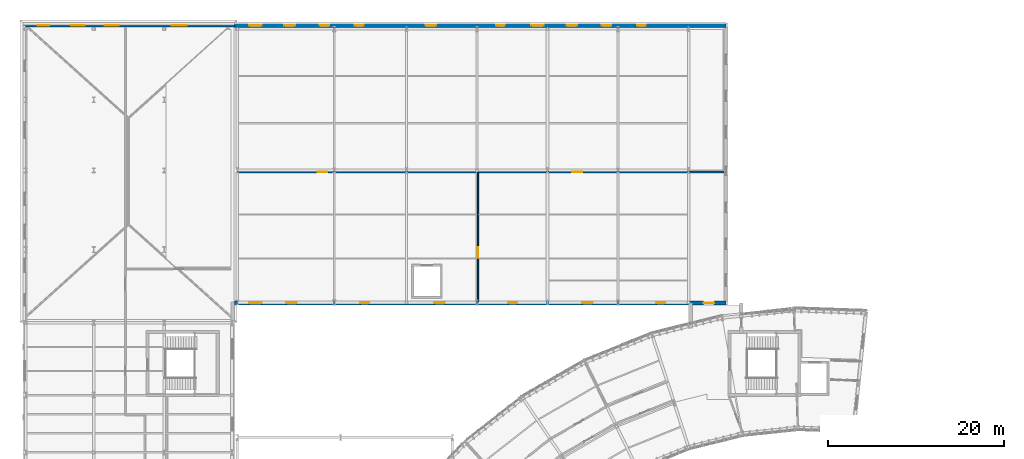
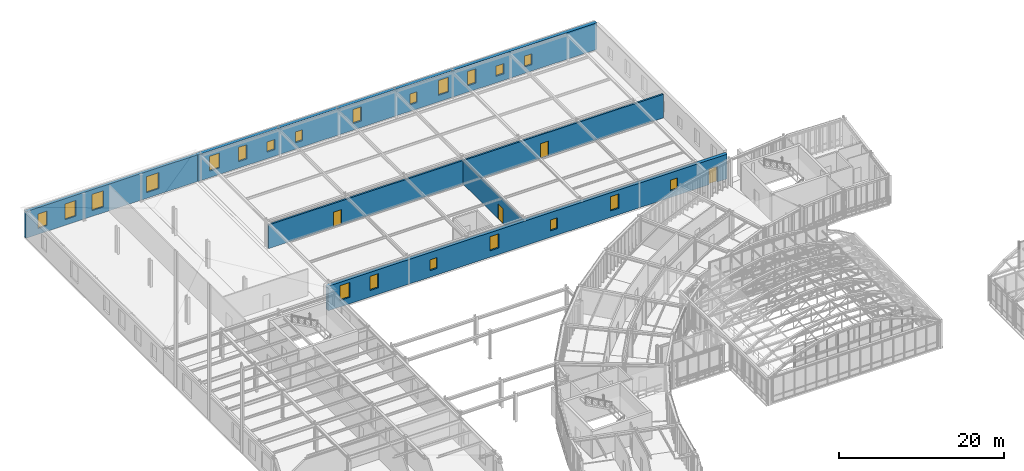
# One storey, part 130 of 148: 21 windows, 5 walls, 4 doors, 25 openings.
"""IFC4 building model written with IfcOpenShell, lengths in metres."""

from ifc_helpers import new_model, si_unit, direction, frame, frame_2d, origin, place, context, subcontext, project, spatial, rectangle, extrude, material, layer, layer_set, type_object, element, fill, save


model = new_model("IFC4")

# Units and contexts
model_context = context("Model", 3, precision=1e-05, world=origin(), true_north=direction((0.0, 1.0)))
body_context = subcontext(model_context, "Body", "Model", "MODEL_VIEW")
ifc_project = project(units=[si_unit("LENGTHUNIT", "METRE"), si_unit("AREAUNIT", "SQUARE_METRE"), si_unit("VOLUMEUNIT", "CUBIC_METRE"), si_unit("PLANEANGLEUNIT", "RADIAN"), si_unit("MASSUNIT", "GRAM", prefix="KILO"), si_unit("THERMODYNAMICTEMPERATUREUNIT", "KELVIN"), si_unit("POWERUNIT", "WATT")], contexts=[model_context])

# Site, building, storey
site_placement = place(None, origin())
site = spatial("IfcSite", under=ifc_project, at=site_placement, CompositionType="ELEMENT")
building_placement = place(site_placement, origin())
building = spatial("IfcBuilding", under=site, at=building_placement, Name="Solvatero Civic Police Headquarters", CompositionType="ELEMENT")
storey_placement = place(building_placement, frame((0.0, 0.0, 5.10009765625)))
storey = spatial("IfcBuildingStorey", under=building, at=storey_placement, Name="L01", CompositionType="ELEMENT", Elevation=5.10009765625)

# Wall, openings, doors
ifc_material_1 = material(Name="Reinforced Masonry", Category="masonry")
ifc_layer_1 = layer(ifc_material_1, 0.239990234375)
ifc_layer_set_1 = layer_set([ifc_layer_1], Name="Reinforced Masonry")
wall_type_1 = type_object("IfcWallType", Name="WL-CELL-240", PredefinedType="PARTITIONING", material=ifc_layer_set_1)
wall_1_placement = place(storey_placement, frame((28.800048828125, 100.300048828125, 0.0), z_axis=(0.0, 0.0, 1.0), x_axis=(1.0, 0.0, 0.0)))
wall_1 = element("IfcWall", 1, at=wall_1_placement, inside=storey, type_object=wall_type_1, Name="Interior Partition WLP-L01-V7-COR", PredefinedType="PARTITIONING", context=body_context, shape_type="SweptSolid", body=[
    extrude(rectangle(XDim=55.199951171875, YDim=0.239990234375, at=frame_2d((27.60009765625, 0.0))), origin(), (0.0, 0.0, 1.0), 3.489990234375),
])
opening_1_placement = place(wall_1_placement, frame((9.10009765625, 0.0, 0.0)))
opening_1 = element("IfcOpeningElement", 2, at=opening_1_placement, cuts=wall_1, Name="Opening ID-09", PredefinedType="OPENING", context=body_context, shape_type="SweptSolid", body=[
    extrude(rectangle(XDim=1.1201171875, YDim=2.199951171875, at=frame_2d((0.56005859375, 1.10009765625))), frame((0.0, 0.1298828125, 0.0), z_axis=(0.0, -1.0, 0.0), x_axis=(1.0, 0.0, 0.0)), (0.0, 0.0, 1.0), 0.260009765625),
])
opening_2_placement = place(wall_1_placement, frame((38.0, 0.0, 0.0)))
opening_2 = element("IfcOpeningElement", 3, at=opening_2_placement, cuts=wall_1, Name="Opening ID-09", PredefinedType="OPENING", context=body_context, shape_type="SweptSolid", body=[
    extrude(rectangle(XDim=1.1201171875, YDim=2.199951171875, at=frame_2d((0.56005859375, 1.10009765625))), frame((0.0, 0.1298828125, 0.0), z_axis=(0.0, -1.0, 0.0), x_axis=(1.0, 0.0, 0.0)), (0.0, 0.0, 1.0), 0.260009765625),
])
ifc_material_2 = material(Name="Powder-Coated Steel", Category="steel")
door_type_1 = type_object("IfcDoorType", Name="DR-PLT-112x220", OperationType="NOTDEFINED", PredefinedType="DOOR", material=ifc_material_2)
door_1_placement = place(opening_1_placement, origin())
door_1 = element("IfcDoor", 4, at=door_1_placement, inside=storey, type_object=door_type_1, Name="Interior Door DR-L01-V7-1", OperationType="SINGLE_SWING_RIGHT", OverallHeight=2.199951171875, OverallWidth=1.1201171875, PredefinedType="DOOR", context=body_context, shape_type="SweptSolid", body=[
    extrude(rectangle(XDim=1.1201171875, YDim=2.199951171875, at=frame_2d((0.56005859375, 1.10009765625))), frame((0.0, 0.02490234375, 0.0), z_axis=(0.0, -1.0, 0.0), x_axis=(1.0, 0.0, 0.0)), (0.0, 0.0, 1.0), 0.050048828125),
])
fill(opening_1, door_1)
door_2_placement = place(opening_2_placement, origin())
door_2 = element("IfcDoor", 5, at=door_2_placement, inside=storey, type_object=door_type_1, Name="Interior Door DR-L01-V7-2", OperationType="SINGLE_SWING_LEFT", OverallHeight=2.199951171875, OverallWidth=1.1201171875, PredefinedType="DOOR", context=body_context, shape_type="SweptSolid", body=[
    extrude(rectangle(XDim=1.1201171875, YDim=2.199951171875, at=frame_2d((0.56005859375, 1.10009765625))), frame((0.0, 0.02490234375, 0.0), z_axis=(0.0, -1.0, 0.0), x_axis=(1.0, 0.0, 0.0)), (0.0, 0.0, 1.0), 0.050048828125),
])
fill(opening_2, door_2)

# Wall, openings, windows
ifc_layer_2 = layer(ifc_material_1, 0.47998046875)
ifc_layer_set_2 = layer_set([ifc_layer_2], Name="Reinforced Masonry")
wall_type_2 = type_object("IfcWallType", Name="WL-EXT-CUST-480", PredefinedType="SOLIDWALL", material=ifc_layer_set_2)
wall_2_placement = place(storey_placement, frame((28.5, 116.949951171875, 0.0), z_axis=(0.0, 0.0, 1.0), x_axis=(1.0, 0.0, 0.0)))
wall_2 = element("IfcWall", 6, at=wall_2_placement, inside=storey, type_object=wall_type_2, Name="Exterior Wall WLE-L01-V7-N", PredefinedType="SOLIDWALL", context=body_context, shape_type="SweptSolid", body=[
    extrude(rectangle(XDim=55.760009765625, YDim=0.47998046875, at=frame_2d((27.8798828125, 0.0))), origin(), (0.0, 0.0, 1.0), 3.93994140625),
])
opening_3_placement = place(wall_2_placement, frame((1.64990234375, 0.0, 0.949951171875)))
opening_3 = element("IfcOpeningElement", 7, at=opening_3_placement, cuts=wall_2, Name="Opening W-02", PredefinedType="OPENING", context=body_context, shape_type="SweptSolid", body=[
    extrude(rectangle(XDim=1.39990234375, YDim=2.199951171875, at=frame_2d((0.699951171875, 1.10009765625))), frame((0.0, 0.25, 0.0), z_axis=(0.0, -1.0, 0.0), x_axis=(1.0, 0.0, 0.0)), (0.0, 0.0, 1.0), 0.5),
])
opening_4_placement = place(wall_2_placement, frame((5.64990234375, 0.0, 0.949951171875)))
opening_4 = element("IfcOpeningElement", 8, at=opening_4_placement, cuts=wall_2, Name="Opening W-01", PredefinedType="OPENING", context=body_context, shape_type="SweptSolid", body=[
    extrude(rectangle(XDim=1.199951171875, YDim=2.10009765625, at=frame_2d((0.60009765625, 1.050048828125))), frame((0.0, 0.25, 0.0), z_axis=(0.0, -1.0, 0.0), x_axis=(1.0, 0.0, 0.0)), (0.0, 0.0, 1.0), 0.5),
])
opening_5_placement = place(wall_2_placement, frame((9.64990234375, 0.0, 0.949951171875)))
opening_5 = element("IfcOpeningElement", 9, at=opening_5_placement, cuts=wall_2, Name="Opening W-11", PredefinedType="OPENING", context=body_context, shape_type="SweptSolid", body=[
    extrude(rectangle(XDim=1.10009765625, YDim=1.5, at=frame_2d((0.550048828125, 0.75))), frame((0.0, 0.25, 0.0), z_axis=(0.0, -1.0, 0.0), x_axis=(1.0, 0.0, 0.0)), (0.0, 0.0, 1.0), 0.5),
])
opening_6_placement = place(wall_2_placement, frame((13.64990234375, 0.0, 0.949951171875)))
opening_6 = element("IfcOpeningElement", 10, at=opening_6_placement, cuts=wall_2, Name="Opening W-09", PredefinedType="OPENING", context=body_context, shape_type="SweptSolid", body=[
    extrude(rectangle(XDim=1.0, YDim=1.60009765625, at=frame_2d((0.5, 0.800048828125))), frame((0.0, 0.25, 0.0), z_axis=(0.0, -1.0, 0.0), x_axis=(1.0, 0.0, 0.0)), (0.0, 0.0, 1.0), 0.5),
])
opening_7_placement = place(wall_2_placement, frame((21.64990234375, 0.0, 0.949951171875)))
opening_7 = element("IfcOpeningElement", 11, at=opening_7_placement, cuts=wall_2, Name="Opening W-01", PredefinedType="OPENING", context=body_context, shape_type="SweptSolid", body=[
    extrude(rectangle(XDim=1.199951171875, YDim=2.10009765625, at=frame_2d((0.60009765625, 1.050048828125))), frame((0.0, 0.25, 0.0), z_axis=(0.0, -1.0, 0.0), x_axis=(1.0, 0.0, 0.0)), (0.0, 0.0, 1.0), 0.5),
])
opening_8_placement = place(wall_2_placement, frame((29.64990234375, 0.0, 0.949951171875)))
opening_8 = element("IfcOpeningElement", 12, at=opening_8_placement, cuts=wall_2, Name="Opening W-09", PredefinedType="OPENING", context=body_context, shape_type="SweptSolid", body=[
    extrude(rectangle(XDim=1.0, YDim=1.60009765625, at=frame_2d((0.5, 0.800048828125))), frame((0.0, 0.25, 0.0), z_axis=(0.0, -1.0, 0.0), x_axis=(1.0, 0.0, 0.0)), (0.0, 0.0, 1.0), 0.5),
])
opening_9_placement = place(wall_2_placement, frame((33.64990234375, 0.0, 0.949951171875)))
opening_9 = element("IfcOpeningElement", 13, at=opening_9_placement, cuts=wall_2, Name="Opening W-02", PredefinedType="OPENING", context=body_context, shape_type="SweptSolid", body=[
    extrude(rectangle(XDim=1.39990234375, YDim=2.199951171875, at=frame_2d((0.699951171875, 1.10009765625))), frame((0.0, 0.25, 0.0), z_axis=(0.0, -1.0, 0.0), x_axis=(1.0, 0.0, 0.0)), (0.0, 0.0, 1.0), 0.5),
])
opening_10_placement = place(wall_2_placement, frame((37.64990234375, 0.0, 0.949951171875)))
opening_10 = element("IfcOpeningElement", 14, at=opening_10_placement, cuts=wall_2, Name="Opening W-01", PredefinedType="OPENING", context=body_context, shape_type="SweptSolid", body=[
    extrude(rectangle(XDim=1.199951171875, YDim=2.10009765625, at=frame_2d((0.60009765625, 1.050048828125))), frame((0.0, 0.25, 0.0), z_axis=(0.0, -1.0, 0.0), x_axis=(1.0, 0.0, 0.0)), (0.0, 0.0, 1.0), 0.5),
])
opening_11_placement = place(wall_2_placement, frame((41.64990234375, 0.0, 0.949951171875)))
opening_11 = element("IfcOpeningElement", 15, at=opening_11_placement, cuts=wall_2, Name="Opening W-11", PredefinedType="OPENING", context=body_context, shape_type="SweptSolid", body=[
    extrude(rectangle(XDim=1.10009765625, YDim=1.5, at=frame_2d((0.550048828125, 0.75))), frame((0.0, 0.25, 0.0), z_axis=(0.0, -1.0, 0.0), x_axis=(1.0, 0.0, 0.0)), (0.0, 0.0, 1.0), 0.5),
])
opening_12_placement = place(wall_2_placement, frame((45.64990234375, 0.0, 0.949951171875)))
opening_12 = element("IfcOpeningElement", 16, at=opening_12_placement, cuts=wall_2, Name="Opening W-09", PredefinedType="OPENING", context=body_context, shape_type="SweptSolid", body=[
    extrude(rectangle(XDim=1.0, YDim=1.60009765625, at=frame_2d((0.5, 0.800048828125))), frame((0.0, 0.25, 0.0), z_axis=(0.0, -1.0, 0.0), x_axis=(1.0, 0.0, 0.0)), (0.0, 0.0, 1.0), 0.5),
])
ifc_material_3 = material(Name="Anodized Bronze Aluminium", Category="aluminium")
window_type_1 = type_object("IfcWindowType", Name="WN-CL-100x160", PartitioningType="SINGLE_PANEL", PredefinedType="WINDOW", material=ifc_material_3)
window_1_placement = place(opening_6_placement, origin())
window_1 = element("IfcWindow", 17, at=window_1_placement, inside=storey, type_object=window_type_1, Name="Exterior Window 0184", OverallHeight=1.60009765625, OverallWidth=1.0, PartitioningType="SINGLE_PANEL", PredefinedType="WINDOW", context=body_context, shape_type="SweptSolid", body=[
    extrude(rectangle(XDim=1.0, YDim=1.60009765625, at=frame_2d((0.5, 0.800048828125))), frame((0.0, 0.030029296875, 0.0), z_axis=(0.0, -1.0, 0.0), x_axis=(1.0, 0.0, 0.0)), (0.0, 0.0, 1.0), 0.06005859375),
])
fill(opening_6, window_1)
window_2_placement = place(opening_8_placement, origin())
window_2 = element("IfcWindow", 18, at=window_2_placement, inside=storey, type_object=window_type_1, Name="Exterior Window 0186", OverallHeight=1.60009765625, OverallWidth=1.0, PartitioningType="SINGLE_PANEL", PredefinedType="WINDOW", context=body_context, shape_type="SweptSolid", body=[
    extrude(rectangle(XDim=1.0, YDim=1.60009765625, at=frame_2d((0.5, 0.800048828125))), frame((0.0, 0.030029296875, 0.0), z_axis=(0.0, -1.0, 0.0), x_axis=(1.0, 0.0, 0.0)), (0.0, 0.0, 1.0), 0.06005859375),
])
fill(opening_8, window_2)
window_3_placement = place(opening_12_placement, origin())
window_3 = element("IfcWindow", 19, at=window_3_placement, inside=storey, type_object=window_type_1, Name="Exterior Window 0190", OverallHeight=1.60009765625, OverallWidth=1.0, PartitioningType="SINGLE_PANEL", PredefinedType="WINDOW", context=body_context, shape_type="SweptSolid", body=[
    extrude(rectangle(XDim=1.0, YDim=1.60009765625, at=frame_2d((0.5, 0.800048828125))), frame((0.0, 0.030029296875, 0.0), z_axis=(0.0, -1.0, 0.0), x_axis=(1.0, 0.0, 0.0)), (0.0, 0.0, 1.0), 0.06005859375),
])
fill(opening_12, window_3)
ifc_material_4 = material(Name="Ballistic Steel Frame Glass", Category="steel")
window_type_2 = type_object("IfcWindowType", Name="WN-CL-110x150", PartitioningType="SINGLE_PANEL", PredefinedType="WINDOW", material=ifc_material_4)
window_4_placement = place(opening_5_placement, origin())
window_4 = element("IfcWindow", 20, at=window_4_placement, inside=storey, type_object=window_type_2, Name="Exterior Window 0183", OverallHeight=1.5, OverallWidth=1.10009765625, PartitioningType="SINGLE_PANEL", PredefinedType="WINDOW", context=body_context, shape_type="SweptSolid", body=[
    extrude(rectangle(XDim=1.10009765625, YDim=1.5, at=frame_2d((0.550048828125, 0.75))), frame((0.0, 0.030029296875, 0.0), z_axis=(0.0, -1.0, 0.0), x_axis=(1.0, 0.0, 0.0)), (0.0, 0.0, 1.0), 0.06005859375),
])
fill(opening_5, window_4)
window_5_placement = place(opening_11_placement, origin())
window_5 = element("IfcWindow", 21, at=window_5_placement, inside=storey, type_object=window_type_2, Name="Exterior Window 0189", OverallHeight=1.5, OverallWidth=1.10009765625, PartitioningType="SINGLE_PANEL", PredefinedType="WINDOW", context=body_context, shape_type="SweptSolid", body=[
    extrude(rectangle(XDim=1.10009765625, YDim=1.5, at=frame_2d((0.550048828125, 0.75))), frame((0.0, 0.030029296875, 0.0), z_axis=(0.0, -1.0, 0.0), x_axis=(1.0, 0.0, 0.0)), (0.0, 0.0, 1.0), 0.06005859375),
])
fill(opening_11, window_5)
window_type_3 = type_object("IfcWindowType", Name="WN-CL-120x210", PartitioningType="SINGLE_PANEL", PredefinedType="WINDOW", material=ifc_material_3)
window_6_placement = place(opening_4_placement, origin())
window_6 = element("IfcWindow", 22, at=window_6_placement, inside=storey, type_object=window_type_3, Name="Exterior Window 0182", OverallHeight=2.10009765625, OverallWidth=1.199951171875, PartitioningType="SINGLE_PANEL", PredefinedType="WINDOW", context=body_context, shape_type="SweptSolid", body=[
    extrude(rectangle(XDim=1.199951171875, YDim=2.10009765625, at=frame_2d((0.60009765625, 1.050048828125))), frame((0.0, 0.030029296875, 0.0), z_axis=(0.0, -1.0, 0.0), x_axis=(1.0, 0.0, 0.0)), (0.0, 0.0, 1.0), 0.06005859375),
])
fill(opening_4, window_6)
window_7_placement = place(opening_7_placement, origin())
window_7 = element("IfcWindow", 23, at=window_7_placement, inside=storey, type_object=window_type_3, Name="Exterior Window 0185", OverallHeight=2.10009765625, OverallWidth=1.199951171875, PartitioningType="SINGLE_PANEL", PredefinedType="WINDOW", context=body_context, shape_type="SweptSolid", body=[
    extrude(rectangle(XDim=1.199951171875, YDim=2.10009765625, at=frame_2d((0.60009765625, 1.050048828125))), frame((0.0, 0.030029296875, 0.0), z_axis=(0.0, -1.0, 0.0), x_axis=(1.0, 0.0, 0.0)), (0.0, 0.0, 1.0), 0.06005859375),
])
fill(opening_7, window_7)
window_8_placement = place(opening_10_placement, origin())
window_8 = element("IfcWindow", 24, at=window_8_placement, inside=storey, type_object=window_type_3, Name="Exterior Window 0188", OverallHeight=2.10009765625, OverallWidth=1.199951171875, PartitioningType="SINGLE_PANEL", PredefinedType="WINDOW", context=body_context, shape_type="SweptSolid", body=[
    extrude(rectangle(XDim=1.199951171875, YDim=2.10009765625, at=frame_2d((0.60009765625, 1.050048828125))), frame((0.0, 0.030029296875, 0.0), z_axis=(0.0, -1.0, 0.0), x_axis=(1.0, 0.0, 0.0)), (0.0, 0.0, 1.0), 0.06005859375),
])
fill(opening_10, window_8)
window_type_4 = type_object("IfcWindowType", Name="WN-CL-140x220", PartitioningType="SINGLE_PANEL", PredefinedType="WINDOW", material=ifc_material_3)
window_9_placement = place(opening_3_placement, origin())
window_9 = element("IfcWindow", 25, at=window_9_placement, inside=storey, type_object=window_type_4, Name="Exterior Window 0181", OverallHeight=2.199951171875, OverallWidth=1.39990234375, PartitioningType="SINGLE_PANEL", PredefinedType="WINDOW", context=body_context, shape_type="SweptSolid", body=[
    extrude(rectangle(XDim=1.39990234375, YDim=2.199951171875, at=frame_2d((0.699951171875, 1.10009765625))), frame((0.0, 0.030029296875, 0.0), z_axis=(0.0, -1.0, 0.0), x_axis=(1.0, 0.0, 0.0)), (0.0, 0.0, 1.0), 0.06005859375),
])
fill(opening_3, window_9)
window_10_placement = place(opening_9_placement, origin())
window_10 = element("IfcWindow", 26, at=window_10_placement, inside=storey, type_object=window_type_4, Name="Exterior Window 0187", OverallHeight=2.199951171875, OverallWidth=1.39990234375, PartitioningType="SINGLE_PANEL", PredefinedType="WINDOW", context=body_context, shape_type="SweptSolid", body=[
    extrude(rectangle(XDim=1.39990234375, YDim=2.199951171875, at=frame_2d((0.699951171875, 1.10009765625))), frame((0.0, 0.030029296875, 0.0), z_axis=(0.0, -1.0, 0.0), x_axis=(1.0, 0.0, 0.0)), (0.0, 0.0, 1.0), 0.06005859375),
])
fill(opening_9, window_10)

# Wall, openings, door, windows
wall_3_placement = place(storey_placement, frame((28.5, 85.43994140625, 0.0), z_axis=(0.0, 0.0, 1.0), x_axis=(1.0, 0.0, 0.0)))
wall_3 = element("IfcWall", 27, at=wall_3_placement, inside=storey, type_object=wall_type_2, Name="Exterior Wall WLE-L01-V7-S", PredefinedType="SOLIDWALL", context=body_context, shape_type="SweptSolid", body=[
    extrude(rectangle(XDim=55.760009765625, YDim=0.47998046875, at=frame_2d((27.8798828125, 0.0))), origin(), (0.0, 0.0, 1.0), 3.639892578125),
])
opening_13_placement = place(wall_3_placement, frame((54.39990234375, 0.0, 0.0), z_axis=(0.0, 0.0, 1.0), x_axis=(-1.0, 0.0, 0.0)))
opening_13 = element("IfcOpeningElement", 28, at=opening_13_placement, cuts=wall_3, Name="Opening ED-03", PredefinedType="OPENING", context=body_context, shape_type="SweptSolid", body=[
    extrude(rectangle(XDim=1.199951171875, YDim=2.300048828125, at=frame_2d((0.60009765625, 1.14990234375))), frame((0.0, 0.25, 0.0), z_axis=(0.0, -1.0, 0.0), x_axis=(1.0, 0.0, 0.0)), (0.0, 0.0, 1.0), 0.5),
])
opening_14_placement = place(wall_3_placement, frame((1.64990234375, 0.0, 0.93994140625)))
opening_14 = element("IfcOpeningElement", 29, at=opening_14_placement, cuts=wall_3, Name="Opening W-02", PredefinedType="OPENING", context=body_context, shape_type="SweptSolid", body=[
    extrude(rectangle(XDim=1.39990234375, YDim=2.199951171875, at=frame_2d((0.699951171875, 1.10009765625))), frame((0.0, 0.25, 0.0), z_axis=(0.0, -1.0, 0.0), x_axis=(1.0, 0.0, 0.0)), (0.0, 0.0, 1.0), 0.5),
])
opening_15_placement = place(wall_3_placement, frame((5.85009765625, 0.0, 0.949951171875)))
opening_15 = element("IfcOpeningElement", 30, at=opening_15_placement, cuts=wall_3, Name="Opening W-01", PredefinedType="OPENING", context=body_context, shape_type="SweptSolid", body=[
    extrude(rectangle(XDim=1.199951171875, YDim=2.10009765625, at=frame_2d((0.60009765625, 1.050048828125))), frame((0.0, 0.25, 0.0), z_axis=(0.0, -1.0, 0.0), x_axis=(1.0, 0.0, 0.0)), (0.0, 0.0, 1.0), 0.5),
])
opening_16_placement = place(wall_3_placement, frame((14.25, 0.0, 0.949951171875)))
opening_16 = element("IfcOpeningElement", 31, at=opening_16_placement, cuts=wall_3, Name="Opening W-09", PredefinedType="OPENING", context=body_context, shape_type="SweptSolid", body=[
    extrude(rectangle(XDim=1.0, YDim=1.60009765625, at=frame_2d((0.5, 0.800048828125))), frame((0.0, 0.25, 0.0), z_axis=(0.0, -1.0, 0.0), x_axis=(1.0, 0.0, 0.0)), (0.0, 0.0, 1.0), 0.5),
])
opening_17_placement = place(wall_3_placement, frame((22.64990234375, 0.0, 0.949951171875)))
opening_17 = element("IfcOpeningElement", 32, at=opening_17_placement, cuts=wall_3, Name="Opening W-01", PredefinedType="OPENING", context=body_context, shape_type="SweptSolid", body=[
    extrude(rectangle(XDim=1.199951171875, YDim=2.10009765625, at=frame_2d((0.60009765625, 1.050048828125))), frame((0.0, 0.25, 0.0), z_axis=(0.0, -1.0, 0.0), x_axis=(1.0, 0.0, 0.0)), (0.0, 0.0, 1.0), 0.5),
])
opening_18_placement = place(wall_3_placement, frame((31.050048828125, 0.0, 0.949951171875)))
opening_18 = element("IfcOpeningElement", 33, at=opening_18_placement, cuts=wall_3, Name="Opening W-09", PredefinedType="OPENING", context=body_context, shape_type="SweptSolid", body=[
    extrude(rectangle(XDim=1.0, YDim=1.60009765625, at=frame_2d((0.5, 0.800048828125))), frame((0.0, 0.25, 0.0), z_axis=(0.0, -1.0, 0.0), x_axis=(1.0, 0.0, 0.0)), (0.0, 0.0, 1.0), 0.5),
])
opening_19_placement = place(wall_3_placement, frame((39.449951171875, 0.0, 0.949951171875)))
opening_19 = element("IfcOpeningElement", 34, at=opening_19_placement, cuts=wall_3, Name="Opening W-01", PredefinedType="OPENING", context=body_context, shape_type="SweptSolid", body=[
    extrude(rectangle(XDim=1.199951171875, YDim=2.10009765625, at=frame_2d((0.60009765625, 1.050048828125))), frame((0.0, 0.25, 0.0), z_axis=(0.0, -1.0, 0.0), x_axis=(1.0, 0.0, 0.0)), (0.0, 0.0, 1.0), 0.5),
])
opening_20_placement = place(wall_3_placement, frame((47.85009765625, 0.0, 0.949951171875)))
opening_20 = element("IfcOpeningElement", 35, at=opening_20_placement, cuts=wall_3, Name="Opening W-09", PredefinedType="OPENING", context=body_context, shape_type="SweptSolid", body=[
    extrude(rectangle(XDim=1.0, YDim=1.60009765625, at=frame_2d((0.5, 0.800048828125))), frame((0.0, 0.25, 0.0), z_axis=(0.0, -1.0, 0.0), x_axis=(1.0, 0.0, 0.0)), (0.0, 0.0, 1.0), 0.5),
])
ifc_material_5 = material(Name="Anodized Bronze Aluminium and Laminated Glass", Category="aluminium")
door_type_2 = type_object("IfcDoorType", Name="DR-EXT-120x230", OperationType="NOTDEFINED", PredefinedType="DOOR", material=ifc_material_5)
door_3_placement = place(opening_13_placement, origin())
door_3 = element("IfcDoor", 36, at=door_3_placement, inside=storey, type_object=door_type_2, Name="Exterior Door DR-L01-CUST-C3", OperationType="SINGLE_SWING_LEFT", OverallHeight=2.300048828125, OverallWidth=1.199951171875, PredefinedType="DOOR", context=body_context, shape_type="SweptSolid", body=[
    extrude(rectangle(XDim=1.199951171875, YDim=2.300048828125, at=frame_2d((0.60009765625, 1.14990234375))), frame((0.0, 0.02490234375, 0.0), z_axis=(0.0, -1.0, 0.0), x_axis=(1.0, 0.0, 0.0)), (0.0, 0.0, 1.0), 0.050048828125),
])
fill(opening_13, door_3)
window_11_placement = place(opening_16_placement, origin())
window_11 = element("IfcWindow", 37, at=window_11_placement, inside=storey, type_object=window_type_1, Name="Exterior Window 0193", OverallHeight=1.60009765625, OverallWidth=1.0, PartitioningType="SINGLE_PANEL", PredefinedType="WINDOW", context=body_context, shape_type="SweptSolid", body=[
    extrude(rectangle(XDim=1.0, YDim=1.60009765625, at=frame_2d((0.5, 0.800048828125))), frame((0.0, 0.030029296875, 0.0), z_axis=(0.0, -1.0, 0.0), x_axis=(1.0, 0.0, 0.0)), (0.0, 0.0, 1.0), 0.06005859375),
])
fill(opening_16, window_11)
window_12_placement = place(opening_18_placement, origin())
window_12 = element("IfcWindow", 38, at=window_12_placement, inside=storey, type_object=window_type_1, Name="Exterior Window 0195", OverallHeight=1.60009765625, OverallWidth=1.0, PartitioningType="SINGLE_PANEL", PredefinedType="WINDOW", context=body_context, shape_type="SweptSolid", body=[
    extrude(rectangle(XDim=1.0, YDim=1.60009765625, at=frame_2d((0.5, 0.800048828125))), frame((0.0, 0.030029296875, 0.0), z_axis=(0.0, -1.0, 0.0), x_axis=(1.0, 0.0, 0.0)), (0.0, 0.0, 1.0), 0.06005859375),
])
fill(opening_18, window_12)
window_13_placement = place(opening_20_placement, origin())
window_13 = element("IfcWindow", 39, at=window_13_placement, inside=storey, type_object=window_type_1, Name="Exterior Window 0197", OverallHeight=1.60009765625, OverallWidth=1.0, PartitioningType="SINGLE_PANEL", PredefinedType="WINDOW", context=body_context, shape_type="SweptSolid", body=[
    extrude(rectangle(XDim=1.0, YDim=1.60009765625, at=frame_2d((0.5, 0.800048828125))), frame((0.0, 0.030029296875, 0.0), z_axis=(0.0, -1.0, 0.0), x_axis=(1.0, 0.0, 0.0)), (0.0, 0.0, 1.0), 0.06005859375),
])
fill(opening_20, window_13)
window_14_placement = place(opening_15_placement, origin())
window_14 = element("IfcWindow", 40, at=window_14_placement, inside=storey, type_object=window_type_3, Name="Exterior Window 0192", OverallHeight=2.10009765625, OverallWidth=1.199951171875, PartitioningType="SINGLE_PANEL", PredefinedType="WINDOW", context=body_context, shape_type="SweptSolid", body=[
    extrude(rectangle(XDim=1.199951171875, YDim=2.10009765625, at=frame_2d((0.60009765625, 1.050048828125))), frame((0.0, 0.030029296875, 0.0), z_axis=(0.0, -1.0, 0.0), x_axis=(1.0, 0.0, 0.0)), (0.0, 0.0, 1.0), 0.06005859375),
])
fill(opening_15, window_14)
window_15_placement = place(opening_17_placement, origin())
window_15 = element("IfcWindow", 41, at=window_15_placement, inside=storey, type_object=window_type_3, Name="Exterior Window 0194", OverallHeight=2.10009765625, OverallWidth=1.199951171875, PartitioningType="SINGLE_PANEL", PredefinedType="WINDOW", context=body_context, shape_type="SweptSolid", body=[
    extrude(rectangle(XDim=1.199951171875, YDim=2.10009765625, at=frame_2d((0.60009765625, 1.050048828125))), frame((0.0, 0.030029296875, 0.0), z_axis=(0.0, -1.0, 0.0), x_axis=(1.0, 0.0, 0.0)), (0.0, 0.0, 1.0), 0.06005859375),
])
fill(opening_17, window_15)
window_16_placement = place(opening_19_placement, origin())
window_16 = element("IfcWindow", 42, at=window_16_placement, inside=storey, type_object=window_type_3, Name="Exterior Window 0196", OverallHeight=2.10009765625, OverallWidth=1.199951171875, PartitioningType="SINGLE_PANEL", PredefinedType="WINDOW", context=body_context, shape_type="SweptSolid", body=[
    extrude(rectangle(XDim=1.199951171875, YDim=2.10009765625, at=frame_2d((0.60009765625, 1.050048828125))), frame((0.0, 0.030029296875, 0.0), z_axis=(0.0, -1.0, 0.0), x_axis=(1.0, 0.0, 0.0)), (0.0, 0.0, 1.0), 0.06005859375),
])
fill(opening_19, window_16)
window_17_placement = place(opening_14_placement, origin())
window_17 = element("IfcWindow", 43, at=window_17_placement, inside=storey, type_object=window_type_4, Name="Exterior Window 0191", OverallHeight=2.199951171875, OverallWidth=1.39990234375, PartitioningType="SINGLE_PANEL", PredefinedType="WINDOW", context=body_context, shape_type="SweptSolid", body=[
    extrude(rectangle(XDim=1.39990234375, YDim=2.199951171875, at=frame_2d((0.699951171875, 1.10009765625))), frame((0.0, 0.030029296875, 0.0), z_axis=(0.0, -1.0, 0.0), x_axis=(1.0, 0.0, 0.0)), (0.0, 0.0, 1.0), 0.06005859375),
])
fill(opening_14, window_17)

# Wall, openings, windows
ifc_material_6 = material(Name="Cream Limestone Ashlar", Category="masonry")
ifc_layer_3 = layer(ifc_material_6, 0.419921875)
ifc_layer_set_3 = layer_set([ifc_layer_3], Name="Cream Limestone Ashlar")
wall_type_3 = type_object("IfcWallType", Name="WL-EXT-LIME-420", PredefinedType="SOLIDWALL", material=ifc_layer_set_3)
wall_4_placement = place(storey_placement, frame((4.510009765625, 116.949951171875, 0.0), z_axis=(0.0, 0.0, 1.0), x_axis=(1.0, 0.0, 0.0)))
wall_4 = element("IfcWall", 44, at=wall_4_placement, inside=storey, type_object=wall_type_3, Name="Exterior Wall WLE-L01-V7NW-N", PredefinedType="SOLIDWALL", context=body_context, shape_type="SweptSolid", body=[
    extrude(rectangle(XDim=23.989990234375, YDim=0.419921875, at=frame_2d((11.9951171875, 0.0))), origin(), (0.0, 0.0, 1.0), 3.93994140625),
])
opening_21_placement = place(wall_4_placement, frame((1.64990234375, 0.0, 0.85009765625)))
opening_21 = element("IfcOpeningElement", 45, at=opening_21_placement, cuts=wall_4, Name="Opening W-13", PredefinedType="OPENING", context=body_context, shape_type="SweptSolid", body=[
    extrude(rectangle(XDim=1.300048828125, YDim=2.14990234375, at=frame_2d((0.64990234375, 1.074951171875))), frame((0.0, 0.219970703125, 0.0), z_axis=(0.0, -1.0, 0.0), x_axis=(1.0, 0.0, 0.0)), (0.0, 0.0, 1.0), 0.43994140625),
])
opening_22_placement = place(wall_4_placement, frame((5.449951171875, 0.0, 0.85009765625)))
opening_22 = element("IfcOpeningElement", 46, at=opening_22_placement, cuts=wall_4, Name="Opening W-03", PredefinedType="OPENING", context=body_context, shape_type="SweptSolid", body=[
    extrude(rectangle(XDim=1.5, YDim=2.300048828125, at=frame_2d((0.75, 1.14990234375))), frame((0.0, 0.219970703125, 0.0), z_axis=(0.0, -1.0, 0.0), x_axis=(1.0, 0.0, 0.0)), (0.0, 0.0, 1.0), 0.43994140625),
])
opening_23_placement = place(wall_4_placement, frame((9.25, 0.0, 0.85009765625)))
opening_23 = element("IfcOpeningElement", 47, at=opening_23_placement, cuts=wall_4, Name="Opening W-04", PredefinedType="OPENING", context=body_context, shape_type="SweptSolid", body=[
    extrude(rectangle(XDim=1.60009765625, YDim=2.39990234375, at=frame_2d((0.800048828125, 1.199951171875))), frame((0.0, 0.219970703125, 0.0), z_axis=(0.0, -1.0, 0.0), x_axis=(1.0, 0.0, 0.0)), (0.0, 0.0, 1.0), 0.43994140625),
])
opening_24_placement = place(wall_4_placement, frame((16.85009765625, 0.0, 0.85009765625)))
opening_24 = element("IfcOpeningElement", 48, at=opening_24_placement, cuts=wall_4, Name="Opening W-14", PredefinedType="OPENING", context=body_context, shape_type="SweptSolid", body=[
    extrude(rectangle(XDim=1.699951171875, YDim=2.35009765625, at=frame_2d((0.85009765625, 1.175048828125))), frame((0.0, 0.219970703125, 0.0), z_axis=(0.0, -1.0, 0.0), x_axis=(1.0, 0.0, 0.0)), (0.0, 0.0, 1.0), 0.43994140625),
])
window_type_5 = type_object("IfcWindowType", Name="WN-CL-130x215", PartitioningType="SINGLE_PANEL", PredefinedType="WINDOW", material=ifc_material_3)
window_18_placement = place(opening_21_placement, origin())
window_18 = element("IfcWindow", 49, at=window_18_placement, inside=storey, type_object=window_type_5, Name="Exterior Window 0158", OverallHeight=2.14990234375, OverallWidth=1.300048828125, PartitioningType="SINGLE_PANEL", PredefinedType="WINDOW", context=body_context, shape_type="SweptSolid", body=[
    extrude(rectangle(XDim=1.300048828125, YDim=2.14990234375, at=frame_2d((0.64990234375, 1.074951171875))), frame((0.0, 0.030029296875, 0.0), z_axis=(0.0, -1.0, 0.0), x_axis=(1.0, 0.0, 0.0)), (0.0, 0.0, 1.0), 0.06005859375),
])
fill(opening_21, window_18)
window_type_6 = type_object("IfcWindowType", Name="WN-CL-150x230", PartitioningType="SINGLE_PANEL", PredefinedType="WINDOW", material=ifc_material_3)
window_19_placement = place(opening_22_placement, origin())
window_19 = element("IfcWindow", 50, at=window_19_placement, inside=storey, type_object=window_type_6, Name="Exterior Window 0159", OverallHeight=2.300048828125, OverallWidth=1.5, PartitioningType="SINGLE_PANEL", PredefinedType="WINDOW", context=body_context, shape_type="SweptSolid", body=[
    extrude(rectangle(XDim=1.5, YDim=2.300048828125, at=frame_2d((0.75, 1.14990234375))), frame((0.0, 0.030029296875, 0.0), z_axis=(0.0, -1.0, 0.0), x_axis=(1.0, 0.0, 0.0)), (0.0, 0.0, 1.0), 0.06005859375),
])
fill(opening_22, window_19)
window_type_7 = type_object("IfcWindowType", Name="WN-CL-160x240", PartitioningType="SINGLE_PANEL", PredefinedType="WINDOW", material=ifc_material_3)
window_20_placement = place(opening_23_placement, origin())
window_20 = element("IfcWindow", 51, at=window_20_placement, inside=storey, type_object=window_type_7, Name="Exterior Window 0160", OverallHeight=2.39990234375, OverallWidth=1.60009765625, PartitioningType="SINGLE_PANEL", PredefinedType="WINDOW", context=body_context, shape_type="SweptSolid", body=[
    extrude(rectangle(XDim=1.60009765625, YDim=2.39990234375, at=frame_2d((0.800048828125, 1.199951171875))), frame((0.0, 0.030029296875, 0.0), z_axis=(0.0, -1.0, 0.0), x_axis=(1.0, 0.0, 0.0)), (0.0, 0.0, 1.0), 0.06005859375),
])
fill(opening_23, window_20)
window_type_8 = type_object("IfcWindowType", Name="WN-CL-170x235", PartitioningType="SINGLE_PANEL", PredefinedType="WINDOW", material=ifc_material_3)
window_21_placement = place(opening_24_placement, origin())
window_21 = element("IfcWindow", 52, at=window_21_placement, inside=storey, type_object=window_type_8, Name="Exterior Window 0161", OverallHeight=2.35009765625, OverallWidth=1.699951171875, PartitioningType="SINGLE_PANEL", PredefinedType="WINDOW", context=body_context, shape_type="SweptSolid", body=[
    extrude(rectangle(XDim=1.699951171875, YDim=2.35009765625, at=frame_2d((0.85009765625, 1.175048828125))), frame((0.0, 0.030029296875, 0.0), z_axis=(0.0, -1.0, 0.0), x_axis=(1.0, 0.0, 0.0)), (0.0, 0.0, 1.0), 0.06005859375),
])
fill(opening_24, window_21)

# Wall, opening, door
ifc_material_7 = material(Name="Gypsum Acoustic Stud", Category="gypsum")
ifc_layer_4 = layer(ifc_material_7, 0.14990234375)
ifc_layer_set_4 = layer_set([ifc_layer_4], Name="Gypsum Acoustic Stud")
wall_type_4 = type_object("IfcWallType", Name="WL-PTN-150", PredefinedType="PARTITIONING", material=ifc_layer_set_4)
wall_5_placement = place(storey_placement, frame((56.10009765625, 85.60009765625, 0.0), z_axis=(0.0, 0.0, 1.0), x_axis=(0.0, 1.0, 0.0)))
wall_5 = element("IfcWall", 53, at=wall_5_placement, inside=storey, type_object=wall_type_4, Name="Interior Partition WLP-L01-V7-M", PredefinedType="PARTITIONING", context=body_context, shape_type="SweptSolid", body=[
    extrude(rectangle(XDim=14.699951171875, YDim=0.14990234375, at=frame_2d((7.35009765625, 0.0))), origin(), (0.0, 0.0, 1.0), 3.469970703125),
])
opening_25_placement = place(wall_5_placement, frame((5.0, 0.0, 0.0)))
opening_25 = element("IfcOpeningElement", 54, at=opening_25_placement, cuts=wall_5, Name="Opening ID-10", PredefinedType="OPENING", context=body_context, shape_type="SweptSolid", body=[
    extrude(rectangle(XDim=1.14990234375, YDim=2.199951171875, at=frame_2d((0.574951171875, 1.10009765625))), frame((0.0, 0.0849609375, 0.0), z_axis=(0.0, -1.0, 0.0), x_axis=(1.0, 0.0, 0.0)), (0.0, 0.0, 1.0), 0.169921875),
])
door_type_3 = type_object("IfcDoorType", Name="DR-COR-115x220", OperationType="NOTDEFINED", PredefinedType="DOOR", material=ifc_material_2)
door_4_placement = place(opening_25_placement, origin())
door_4 = element("IfcDoor", 55, at=door_4_placement, inside=storey, type_object=door_type_3, Name="Interior Door DR-L01-DADM", OperationType="SINGLE_SWING_RIGHT", OverallHeight=2.199951171875, OverallWidth=1.14990234375, PredefinedType="DOOR", context=body_context, shape_type="SweptSolid", body=[
    extrude(rectangle(XDim=1.14990234375, YDim=2.199951171875, at=frame_2d((0.574951171875, 1.10009765625))), frame((0.0, 0.02490234375, 0.0), z_axis=(0.0, -1.0, 0.0), x_axis=(1.0, 0.0, 0.0)), (0.0, 0.0, 1.0), 0.050048828125),
])
fill(opening_25, door_4)

save(model, "model.ifc")
